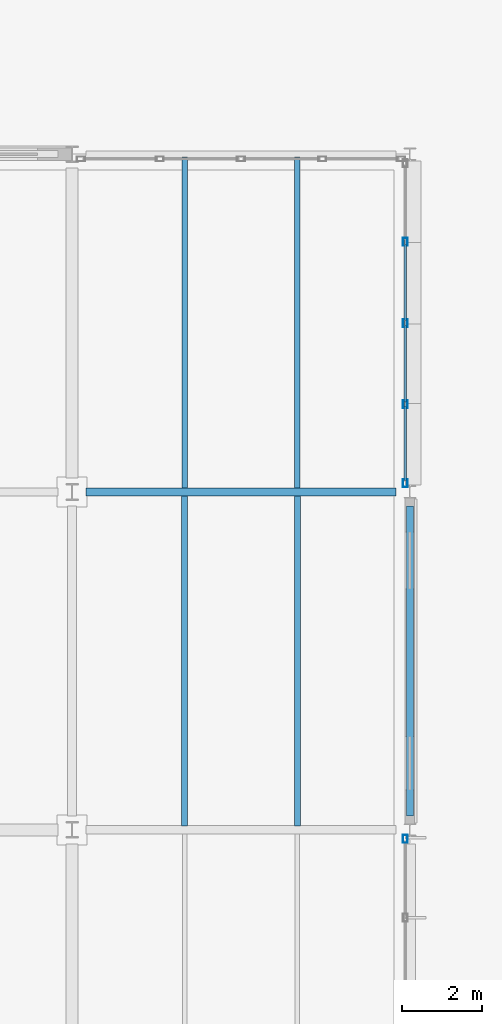
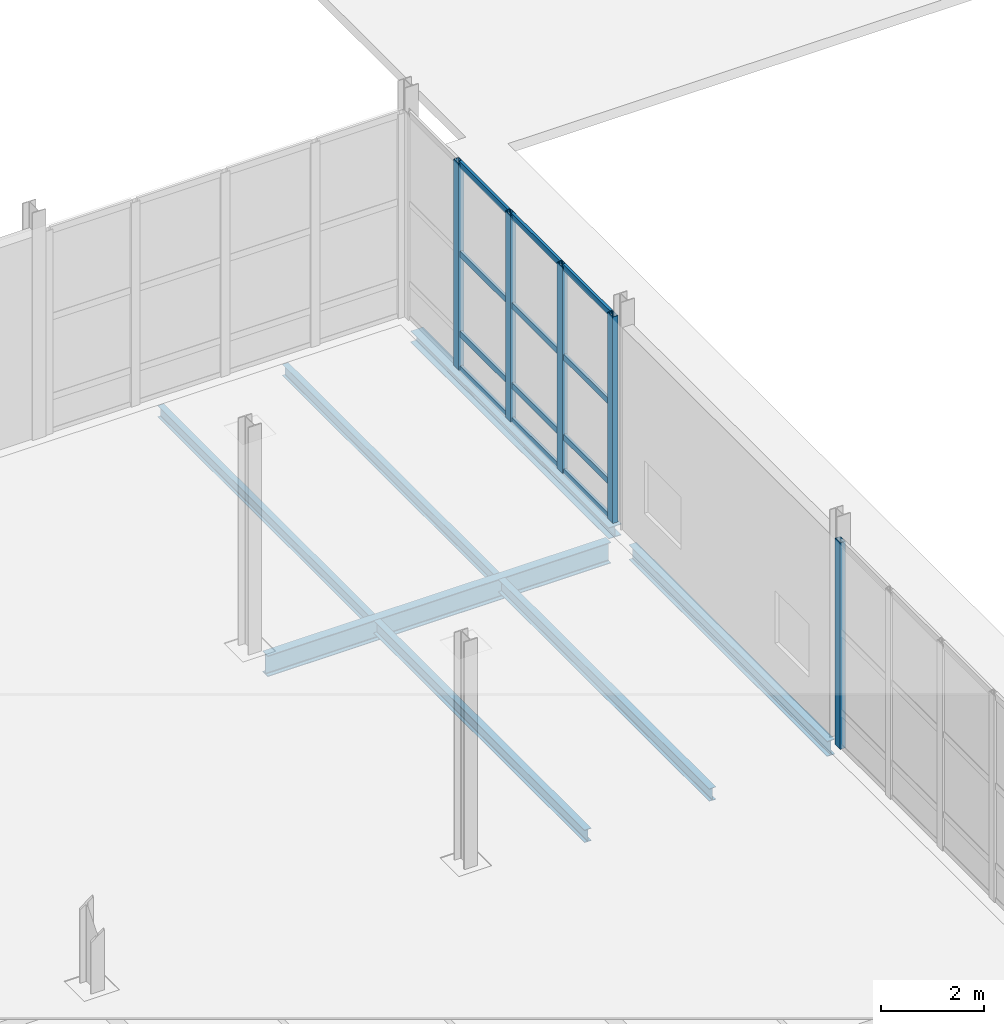
# One storey, part 49 of 124: 17 members, 7 beams, 2 elements without a shape of their own.
"""IFC4 building model written with IfcOpenShell, lengths in metres."""

from ifc_helpers import new_model, si_unit, direction, frame, origin, origin_2d, place, context, subcontext, project, spatial, hollow_rectangle, i_section, extrude, material, material_profile, profile_set, type_object, element, aggregate, save


model = new_model("IFC4")

# Units and contexts
model_context = context("Model", 3, precision=1e-05, world=origin(), true_north=direction((0.0, 1.0)))
body_context = subcontext(model_context, "Body", "Model", "MODEL_VIEW")
ifc_project = project(units=[si_unit("LENGTHUNIT", "METRE"), si_unit("AREAUNIT", "SQUARE_METRE"), si_unit("VOLUMEUNIT", "CUBIC_METRE"), si_unit("PLANEANGLEUNIT", "RADIAN"), si_unit("MASSUNIT", "GRAM", prefix="KILO")], contexts=[model_context])

# Site, building, storey
site_placement = place(None, origin())
site = spatial("IfcSite", under=ifc_project, at=site_placement, CompositionType="ELEMENT")
building_placement = place(site_placement, origin())
building = spatial("IfcBuilding", under=site, at=building_placement, Name="Mersafa Astral City Hall", CompositionType="ELEMENT")
storey_placement = place(building_placement, origin())
storey = spatial("IfcBuildingStorey", under=building, at=storey_placement, Name="L00", CompositionType="ELEMENT", Elevation=0.0)

# Curtain wall, member
ifc_material_1 = material(Name="Anodised bronze aluminium framing", Category="aluminium")
curtain_wall_type_1 = type_object("IfcCurtainWallType", Name="ENV-CW-5", PredefinedType="USERDEFINED", material=ifc_material_1)
curtain_wall_1_placement = place(storey_placement, origin())
curtain_wall_1 = element("IfcCurtainWall", 1, at=curtain_wall_1_placement, inside=storey, type_object=curtain_wall_type_1, Name="L00 Unitised solar curtain wall 4", ObjectType="UNITISED CURTAIN WALL", PredefinedType="USERDEFINED")
ifc_material_profile_1 = material_profile(ifc_material_1, hollow_rectangle(XDim=0.1201171875, YDim=0.199951171875, WallThickness=0.008056640625, at=origin_2d()), Name="RHS 120x200x8")
ifc_profile_set_1 = profile_set([ifc_material_profile_1], Name="Anodised bronze aluminium framing")
member_type_1 = type_object("IfcMemberType", Name="ENV-CW-MUL-2", PredefinedType="MULLION", material=ifc_profile_set_1)
member_1_placement = place(storey_placement, frame((151.080078125, 16.577880859375, -0.001953125), z_axis=(0.0, 0.0, 1.0), x_axis=(-1.0, 0.0, 0.0)))
member_1 = element("IfcMember", 2, at=member_1_placement, type_object=member_type_1, Name="CW-5 mullion 5", PredefinedType="MULLION", context=body_context, shape_type="SweptSolid", body=[
    extrude(hollow_rectangle(XDim=0.1201171875, YDim=0.199951171875, WallThickness=0.008056640625, at=origin_2d()), origin(), (0.0, 0.0, 1.0), 4.904052734375),
])
aggregate(curtain_wall_1, [member_1])

# Curtain wall, members
curtain_wall_type_2 = type_object("IfcCurtainWallType", Name="ENV-CW-6", PredefinedType="USERDEFINED", material=ifc_material_1)
curtain_wall_2_placement = place(storey_placement, origin())
curtain_wall_2 = element("IfcCurtainWall", 3, at=curtain_wall_2_placement, inside=storey, type_object=curtain_wall_type_2, Name="L00 Unitised solar curtain wall 5", ObjectType="UNITISED CURTAIN WALL", PredefinedType="USERDEFINED")
member_2_placement = place(storey_placement, frame((151.080078125, 25.422119140625, -0.001953125), z_axis=(0.0, 0.0, 1.0), x_axis=(-1.0, 0.0, 0.0)))
member_2 = element("IfcMember", 4, at=member_2_placement, type_object=member_type_1, Name="CW-6 mullion 1", PredefinedType="MULLION", context=body_context, shape_type="SweptSolid", body=[
    extrude(hollow_rectangle(XDim=0.1201171875, YDim=0.199951171875, WallThickness=0.008056640625, at=origin_2d()), origin(), (0.0, 0.0, 1.0), 4.904052734375),
])
member_3_placement = place(storey_placement, frame((151.080078125, 27.381103515625, -0.001953125), z_axis=(0.0, 0.0, 1.0), x_axis=(-1.0, 0.0, 0.0)))
member_3 = element("IfcMember", 5, at=member_3_placement, type_object=member_type_1, Name="CW-6 mullion 2", PredefinedType="MULLION", context=body_context, shape_type="SweptSolid", body=[
    extrude(hollow_rectangle(XDim=0.1201171875, YDim=0.199951171875, WallThickness=0.008056640625, at=origin_2d()), origin(), (0.0, 0.0, 1.0), 4.904052734375),
])
member_4_placement = place(storey_placement, frame((151.080078125, 29.39990234375, -0.001953125), z_axis=(0.0, 0.0, 1.0), x_axis=(-1.0, 0.0, 0.0)))
member_4 = element("IfcMember", 6, at=member_4_placement, type_object=member_type_1, Name="CW-6 mullion 3", PredefinedType="MULLION", context=body_context, shape_type="SweptSolid", body=[
    extrude(hollow_rectangle(XDim=0.1201171875, YDim=0.199951171875, WallThickness=0.008056640625, at=origin_2d()), origin(), (0.0, 0.0, 1.0), 4.904052734375),
])
member_5_placement = place(storey_placement, frame((151.080078125, 31.4189453125, -0.001953125), z_axis=(0.0, 0.0, 1.0), x_axis=(-1.0, 0.0, 0.0)))
member_5 = element("IfcMember", 7, at=member_5_placement, type_object=member_type_1, Name="CW-6 mullion 4", PredefinedType="MULLION", context=body_context, shape_type="SweptSolid", body=[
    extrude(hollow_rectangle(XDim=0.1201171875, YDim=0.199951171875, WallThickness=0.008056640625, at=origin_2d()), origin(), (0.0, 0.0, 1.0), 4.904052734375),
])
ifc_material_profile_2 = material_profile(ifc_material_1, hollow_rectangle(XDim=0.06005859375, YDim=0.139892578125, WallThickness=0.00390625, at=origin_2d()), Name="RHS 60x140x4")
ifc_profile_set_2 = profile_set([ifc_material_profile_2], Name="Anodised bronze aluminium framing")
member_type_2 = type_object("IfcMemberType", Name="ENV-CW-TRN-1", PredefinedType="USERDEFINED", material=ifc_profile_set_2)
member_6_placement = place(storey_placement, frame((151.080078125, 25.48193359375, 0.028076171875), z_axis=(0.0, 1.0, 0.0), x_axis=(-1.0, 0.0, 0.0)))
member_6 = element("IfcMember", 8, at=member_6_placement, type_object=member_type_2, Name="CW-6 transom 1.1", ObjectType="TRANSOM", PredefinedType="USERDEFINED", context=body_context, shape_type="SweptSolid", body=[
    extrude(hollow_rectangle(XDim=0.06005859375, YDim=0.139892578125, WallThickness=0.00390625, at=origin_2d()), origin(), (0.0, 0.0, 1.0), 1.839111328125),
])
member_7_placement = place(storey_placement, frame((151.080078125, 25.48193359375, 0.85009765625), z_axis=(0.0, 1.0, 0.0), x_axis=(-1.0, 0.0, 0.0)))
member_7 = element("IfcMember", 9, at=member_7_placement, type_object=member_type_2, Name="CW-6 transom 1.2", ObjectType="TRANSOM", PredefinedType="USERDEFINED", context=body_context, shape_type="SweptSolid", body=[
    extrude(hollow_rectangle(XDim=0.06005859375, YDim=0.139892578125, WallThickness=0.00390625, at=origin_2d()), origin(), (0.0, 0.0, 1.0), 1.839111328125),
])
member_8_placement = place(storey_placement, frame((151.080078125, 25.48193359375, 2.75), z_axis=(0.0, 1.0, 0.0), x_axis=(-1.0, 0.0, 0.0)))
member_8 = element("IfcMember", 10, at=member_8_placement, type_object=member_type_2, Name="CW-6 transom 1.3", ObjectType="TRANSOM", PredefinedType="USERDEFINED", context=body_context, shape_type="SweptSolid", body=[
    extrude(hollow_rectangle(XDim=0.06005859375, YDim=0.139892578125, WallThickness=0.00390625, at=origin_2d()), origin(), (0.0, 0.0, 1.0), 1.839111328125),
])
member_9_placement = place(storey_placement, frame((151.080078125, 25.48193359375, 4.8720703125), z_axis=(0.0, 1.0, 0.0), x_axis=(-1.0, 0.0, 0.0)))
member_9 = element("IfcMember", 11, at=member_9_placement, type_object=member_type_2, Name="CW-6 transom 1.4", ObjectType="TRANSOM", PredefinedType="USERDEFINED", context=body_context, shape_type="SweptSolid", body=[
    extrude(hollow_rectangle(XDim=0.06005859375, YDim=0.139892578125, WallThickness=0.00390625, at=origin_2d()), origin(), (0.0, 0.0, 1.0), 1.839111328125),
])
member_10_placement = place(storey_placement, frame((151.080078125, 27.44091796875, 0.028076171875), z_axis=(0.0, 1.0, 0.0), x_axis=(-1.0, 0.0, 0.0)))
member_10 = element("IfcMember", 12, at=member_10_placement, type_object=member_type_2, Name="CW-6 transom 2.1", ObjectType="TRANSOM", PredefinedType="USERDEFINED", context=body_context, shape_type="SweptSolid", body=[
    extrude(hollow_rectangle(XDim=0.06005859375, YDim=0.139892578125, WallThickness=0.00390625, at=origin_2d()), origin(), (0.0, 0.0, 1.0), 1.899169921875),
])
member_11_placement = place(storey_placement, frame((151.080078125, 27.44091796875, 0.85009765625), z_axis=(0.0, 1.0, 0.0), x_axis=(-1.0, 0.0, 0.0)))
member_11 = element("IfcMember", 13, at=member_11_placement, type_object=member_type_2, Name="CW-6 transom 2.2", ObjectType="TRANSOM", PredefinedType="USERDEFINED", context=body_context, shape_type="SweptSolid", body=[
    extrude(hollow_rectangle(XDim=0.06005859375, YDim=0.139892578125, WallThickness=0.00390625, at=origin_2d()), origin(), (0.0, 0.0, 1.0), 1.899169921875),
])
member_12_placement = place(storey_placement, frame((151.080078125, 27.44091796875, 2.75), z_axis=(0.0, 1.0, 0.0), x_axis=(-1.0, 0.0, 0.0)))
member_12 = element("IfcMember", 14, at=member_12_placement, type_object=member_type_2, Name="CW-6 transom 2.3", ObjectType="TRANSOM", PredefinedType="USERDEFINED", context=body_context, shape_type="SweptSolid", body=[
    extrude(hollow_rectangle(XDim=0.06005859375, YDim=0.139892578125, WallThickness=0.00390625, at=origin_2d()), origin(), (0.0, 0.0, 1.0), 1.899169921875),
])
member_13_placement = place(storey_placement, frame((151.080078125, 27.44091796875, 4.8720703125), z_axis=(0.0, 1.0, 0.0), x_axis=(-1.0, 0.0, 0.0)))
member_13 = element("IfcMember", 15, at=member_13_placement, type_object=member_type_2, Name="CW-6 transom 2.4", ObjectType="TRANSOM", PredefinedType="USERDEFINED", context=body_context, shape_type="SweptSolid", body=[
    extrude(hollow_rectangle(XDim=0.06005859375, YDim=0.139892578125, WallThickness=0.00390625, at=origin_2d()), origin(), (0.0, 0.0, 1.0), 1.899169921875),
])
member_14_placement = place(storey_placement, frame((151.080078125, 29.4599609375, 0.028076171875), z_axis=(0.0, 1.0, 0.0), x_axis=(-1.0, 0.0, 0.0)))
member_14 = element("IfcMember", 16, at=member_14_placement, type_object=member_type_2, Name="CW-6 transom 3.1", ObjectType="TRANSOM", PredefinedType="USERDEFINED", context=body_context, shape_type="SweptSolid", body=[
    extrude(hollow_rectangle(XDim=0.06005859375, YDim=0.139892578125, WallThickness=0.00390625, at=origin_2d()), origin(), (0.0, 0.0, 1.0), 1.89892578125),
])
member_15_placement = place(storey_placement, frame((151.080078125, 29.4599609375, 0.85009765625), z_axis=(0.0, 1.0, 0.0), x_axis=(-1.0, 0.0, 0.0)))
member_15 = element("IfcMember", 17, at=member_15_placement, type_object=member_type_2, Name="CW-6 transom 3.2", ObjectType="TRANSOM", PredefinedType="USERDEFINED", context=body_context, shape_type="SweptSolid", body=[
    extrude(hollow_rectangle(XDim=0.06005859375, YDim=0.139892578125, WallThickness=0.00390625, at=origin_2d()), origin(), (0.0, 0.0, 1.0), 1.89892578125),
])
member_16_placement = place(storey_placement, frame((151.080078125, 29.4599609375, 2.75), z_axis=(0.0, 1.0, 0.0), x_axis=(-1.0, 0.0, 0.0)))
member_16 = element("IfcMember", 18, at=member_16_placement, type_object=member_type_2, Name="CW-6 transom 3.3", ObjectType="TRANSOM", PredefinedType="USERDEFINED", context=body_context, shape_type="SweptSolid", body=[
    extrude(hollow_rectangle(XDim=0.06005859375, YDim=0.139892578125, WallThickness=0.00390625, at=origin_2d()), origin(), (0.0, 0.0, 1.0), 1.89892578125),
])
member_17_placement = place(storey_placement, frame((151.080078125, 29.4599609375, 4.8720703125), z_axis=(0.0, 1.0, 0.0), x_axis=(-1.0, 0.0, 0.0)))
member_17 = element("IfcMember", 19, at=member_17_placement, type_object=member_type_2, Name="CW-6 transom 3.4", ObjectType="TRANSOM", PredefinedType="USERDEFINED", context=body_context, shape_type="SweptSolid", body=[
    extrude(hollow_rectangle(XDim=0.06005859375, YDim=0.139892578125, WallThickness=0.00390625, at=origin_2d()), origin(), (0.0, 0.0, 1.0), 1.89892578125),
])
aggregate(curtain_wall_2, [member_2, member_3, member_4, member_5, member_6, member_7, member_8, member_9, member_10, member_11, member_12, member_13, member_14, member_15, member_16, member_17])

# Beams
ifc_material_2 = material(Name="Steel S355", Category="steel")
ifc_material_profile_3 = material_profile(ifc_material_2, i_section(OverallWidth=0.199951171875, OverallDepth=0.5, WebThickness=0.01025390625, FlangeThickness=0.01611328125, FilletRadius=0.02099609375, at=origin_2d()), Name="IPE 500")
ifc_profile_set_3 = profile_set([ifc_material_profile_3], Name="Steel S355")
beam_type_1 = type_object("IfcBeamType", Name="STR-BM-IPE500", PredefinedType="BEAM", material=ifc_profile_set_3)
beam_1_placement = place(storey_placement, frame((143.14501953125, 25.199951171875, -0.5), z_axis=(1.0, 0.0, 0.0), x_axis=(0.0, 1.0, 0.0)))
element("IfcBeam", 20, at=beam_1_placement, inside=storey, type_object=beam_type_1, Name="L00 Primary girder X 17-3", PredefinedType="BEAM", context=body_context, shape_type="SweptSolid", body=[
    extrude(i_section(OverallWidth=0.199951171875, OverallDepth=0.5, WebThickness=0.01025390625, FlangeThickness=0.01611328125, FilletRadius=0.02099609375, at=origin_2d()), origin(), (0.0, 0.0, 1.0), 7.7099609375),
])
ifc_material_profile_4 = material_profile(ifc_material_2, i_section(OverallWidth=0.135009765625, OverallDepth=0.27001953125, WebThickness=0.006591796875, FlangeThickness=0.01025390625, FilletRadius=0.014892578125, at=origin_2d()), Name="IPE 270")
ifc_profile_set_4 = profile_set([ifc_material_profile_4], Name="Steel S355")
beam_type_2 = type_object("IfcBeamType", Name="STR-BM-JOIST-IPE270", PredefinedType="JOIST", material=ifc_profile_set_4)
for number, where, z_axis, x_axis, name in (
    (21, (145.60009765625, 25.294921875, -0.385009765625), (0.0, 1.0, 0.0), (-1.0, 0.0, 0.0), "L00 Composite secondary floor joist 170"),
    (22, (148.39990234375, 25.294921875, -0.385009765625), (0.0, 1.0, 0.0), (-1.0, 0.0, 0.0), "L00 Composite secondary floor joist 171"),
):
    element("IfcBeam", number, at=place(storey_placement, frame(where, z_axis=z_axis, x_axis=x_axis)), inside=storey, type_object=beam_type_2, Name=name, PredefinedType="JOIST", context=body_context, shape_type="SweptSolid", body=[
        extrude(i_section(OverallWidth=0.135009765625, OverallDepth=0.27001953125, WebThickness=0.006591796875, FlangeThickness=0.01025390625, FilletRadius=0.014892578125, at=origin_2d()), origin(), (0.0, 0.0, 1.0), 8.22998046875),
    ])
ifc_material_profile_5 = material_profile(ifc_material_2, i_section(OverallWidth=0.14990234375, OverallDepth=0.300048828125, WebThickness=0.007080078125, FlangeThickness=0.0107421875, FilletRadius=0.014892578125, at=origin_2d()), Name="IPE 300")
ifc_profile_set_5 = profile_set([ifc_material_profile_5], Name="Steel S355")
beam_type_3 = type_object("IfcBeamType", Name="STR-BM-JOIST-IPE300", PredefinedType="JOIST", material=ifc_profile_set_5)
for number, where, z_axis, x_axis, name in (
    (23, (145.60009765625, 16.89990234375, -0.39990234375), (0.0, 1.0, 0.0), (-1.0, 0.0, 0.0), "L00 Composite secondary floor joist 168"),
    (24, (148.39990234375, 16.89990234375, -0.39990234375), (0.0, 1.0, 0.0), (-1.0, 0.0, 0.0), "L00 Composite secondary floor joist 169"),
):
    element("IfcBeam", number, at=place(storey_placement, frame(where, z_axis=z_axis, x_axis=x_axis)), inside=storey, type_object=beam_type_3, Name=name, PredefinedType="JOIST", context=body_context, shape_type="SweptSolid", body=[
        extrude(i_section(OverallWidth=0.14990234375, OverallDepth=0.300048828125, WebThickness=0.007080078125, FlangeThickness=0.0107421875, FilletRadius=0.014892578125, at=origin_2d()), origin(), (0.0, 0.0, 1.0), 8.205078125),
    ])
ifc_material_profile_6 = material_profile(ifc_material_2, i_section(OverallWidth=0.280029296875, OverallDepth=0.27001953125, WebThickness=0.008056640625, FlangeThickness=0.012939453125, FilletRadius=0.02392578125, at=origin_2d()), Name="HEA 280")
ifc_profile_set_6 = profile_set([ifc_material_profile_6], Name="Steel S355")
beam_type_4 = type_object("IfcBeamType", Name="STR-BM-SPANDREL-HEA280", PredefinedType="SPANDREL", material=ifc_profile_set_6)
beam_2_placement = place(storey_placement, frame((151.199951171875, 25.544921875, -0.385009765625), z_axis=(0.0, 1.0, 0.0), x_axis=(-1.0, 0.0, 0.0)))
element("IfcBeam", 25, at=beam_2_placement, inside=storey, type_object=beam_type_4, Name="L00 Primary girder Y 18-3", PredefinedType="SPANDREL", context=body_context, shape_type="SweptSolid", body=[
    extrude(i_section(OverallWidth=0.280029296875, OverallDepth=0.27001953125, WebThickness=0.008056640625, FlangeThickness=0.012939453125, FilletRadius=0.02392578125, at=origin_2d()), origin(), (0.0, 0.0, 1.0), 7.7099609375),
])
ifc_material_profile_7 = material_profile(ifc_material_2, i_section(OverallWidth=0.169921875, OverallDepth=0.360107421875, WebThickness=0.008056640625, FlangeThickness=0.0126953125, FilletRadius=0.01806640625, at=origin_2d()), Name="IPE 360")
ifc_profile_set_7 = profile_set([ifc_material_profile_7], Name="Steel S355")
beam_type_5 = type_object("IfcBeamType", Name="STR-BM-SPANDREL-IPE360", PredefinedType="SPANDREL", material=ifc_profile_set_7)
beam_3_placement = place(storey_placement, frame((151.199951171875, 17.14501953125, -0.429931640625), z_axis=(0.0, 1.0, 0.0), x_axis=(-1.0, 0.0, 0.0)))
element("IfcBeam", 26, at=beam_3_placement, inside=storey, type_object=beam_type_5, Name="L00 Primary girder Y 18-2", PredefinedType="SPANDREL", context=body_context, shape_type="SweptSolid", body=[
    extrude(i_section(OverallWidth=0.169921875, OverallDepth=0.360107421875, WebThickness=0.008056640625, FlangeThickness=0.0126953125, FilletRadius=0.01806640625, at=origin_2d()), origin(), (0.0, 0.0, 1.0), 7.7099609375),
])

save(model, "model.ifc")
